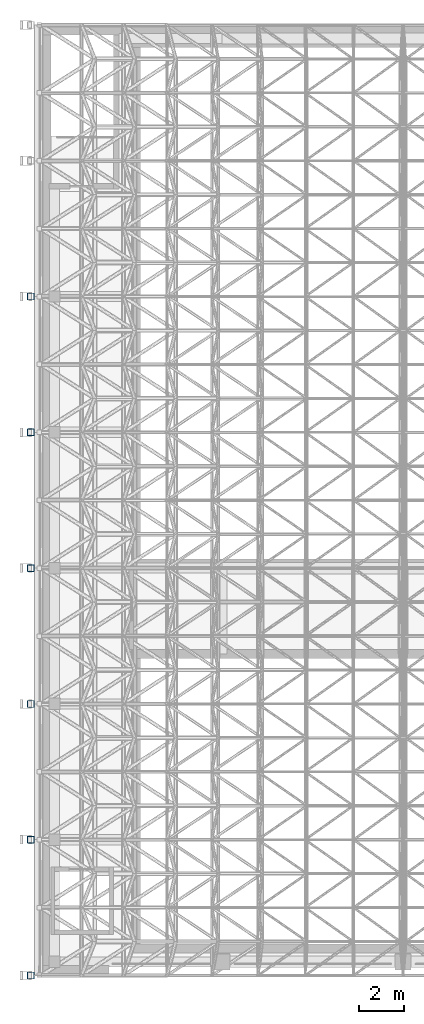
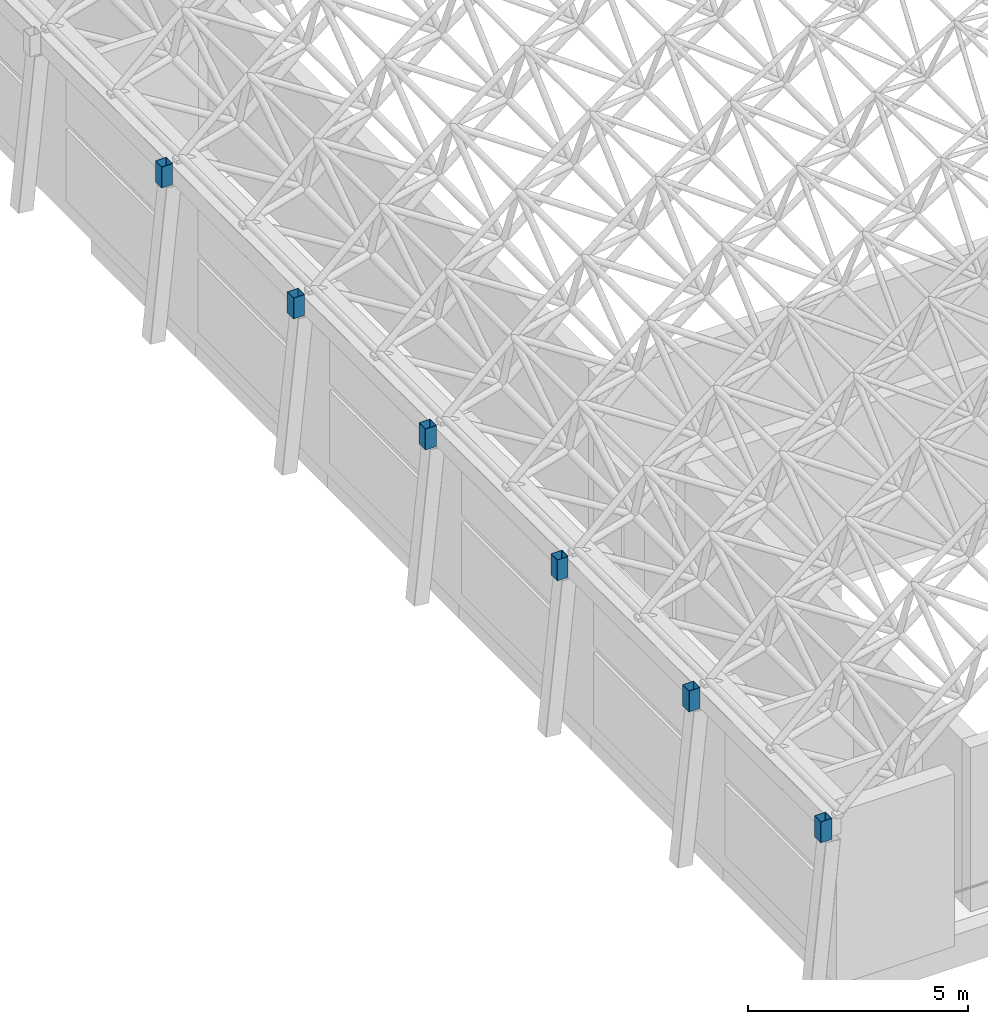
# One storey, part 2 of 141: 6 columns.
"""IFC4 building model written with IfcOpenShell, lengths in metres."""

from ifc_helpers import new_model, si_unit, direction, frame, origin, origin_2d, place, context, subcontext, project, spatial, hollow_rectangle, extrude, material, material_profile, profile_set, type_object, element, save


model = new_model("IFC4")

# Units and contexts
model_context = context("Model", 3, precision=1e-05, world=origin(), true_north=direction((0.0, 1.0)))
body_context = subcontext(model_context, "Body", "Model", "MODEL_VIEW")
ifc_project = project(units=[si_unit("LENGTHUNIT", "METRE"), si_unit("AREAUNIT", "SQUARE_METRE"), si_unit("VOLUMEUNIT", "CUBIC_METRE"), si_unit("PLANEANGLEUNIT", "RADIAN"), si_unit("MASSUNIT", "GRAM", prefix="KILO")], contexts=[model_context])

# Site, building, storey
site_placement = place(None, origin())
site = spatial("IfcSite", under=ifc_project, at=site_placement, CompositionType="ELEMENT")
building_placement = place(site_placement, origin())
building = spatial("IfcBuilding", under=site, at=building_placement, Name="Lantern Court Media Centre", CompositionType="ELEMENT")
storey_placement = place(building_placement, frame((0.0, 0.0, 9.60009765625)))
storey = spatial("IfcBuildingStorey", under=building, at=storey_placement, Name="L02", CompositionType="ELEMENT", Elevation=9.60009765625)

# Columns
ifc_material = material(Name="Steel S355J2 (EN 10025-2)", Category="steel")
ifc_material_profile = material_profile(ifc_material, hollow_rectangle(XDim=0.300048828125, YDim=0.300048828125, WallThickness=0.012451171875, InnerFilletRadius=0.012451171875, OuterFilletRadius=0.018798828125, at=origin_2d()), Name="Cinema Hall buttress pinnacle SHS 300x12.5")
ifc_profile_set = profile_set([ifc_material_profile], Name="Steel S355J2 (EN 10025-2)")
column_type = type_object("IfcColumnType", Name="Cinema Hall buttress pinnacle SHS 300x12.5", PredefinedType="COLUMN", material=ifc_profile_set)
for number, where, z_axis, x_axis, name in (
    (1, (-0.4501953125, -2.0, 4.220458984375), (0.0, 0.0, 1.0), (1.0, 0.0, 0.0), "Cinema Hall pinnacle west 1"),
    (2, (-0.4501953125, 4.0, 4.220458984375), (0.0, 0.0, 1.0), (1.0, 0.0, 0.0), "Cinema Hall pinnacle west 2"),
    (3, (-0.4501953125, 10.0, 4.220458984375), (0.0, 0.0, 1.0), (1.0, 0.0, 0.0), "Cinema Hall pinnacle west 3"),
    (4, (-0.4501953125, 16.0, 4.220458984375), (0.0, 0.0, 1.0), (1.0, 0.0, 0.0), "Cinema Hall pinnacle west 4"),
    (5, (-0.4501953125, 22.0, 4.220458984375), (0.0, 0.0, 1.0), (1.0, 0.0, 0.0), "Cinema Hall pinnacle west 5"),
    (6, (-0.4501953125, 28.0, 4.220458984375), (0.0, 0.0, 1.0), (1.0, 0.0, 0.0), "Cinema Hall pinnacle west 6"),
):
    element("IfcColumn", number, at=place(storey_placement, frame(where, z_axis=z_axis, x_axis=x_axis)), inside=storey, type_object=column_type, Name=name, PredefinedType="COLUMN", context=body_context, shape_type="SweptSolid", body=[
        extrude(hollow_rectangle(XDim=0.300048828125, YDim=0.300048828125, WallThickness=0.012451171875, InnerFilletRadius=0.012451171875, OuterFilletRadius=0.018798828125, at=origin_2d()), origin(), (0.0, 0.0, 1.0), 0.579345703125),
    ])

save(model, "model.ifc")
